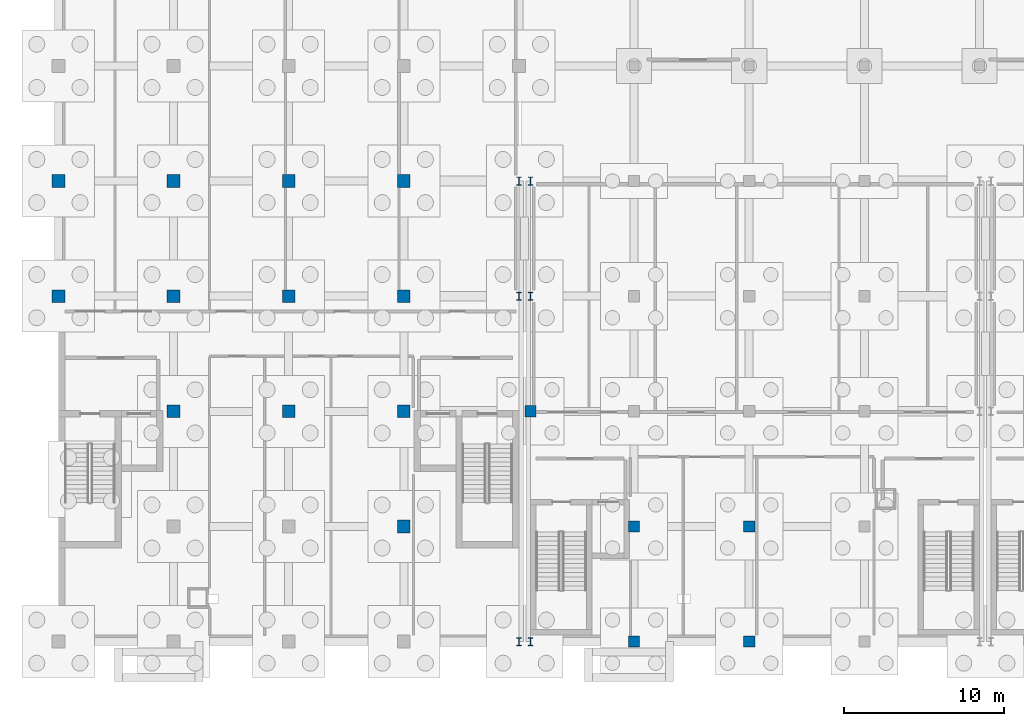
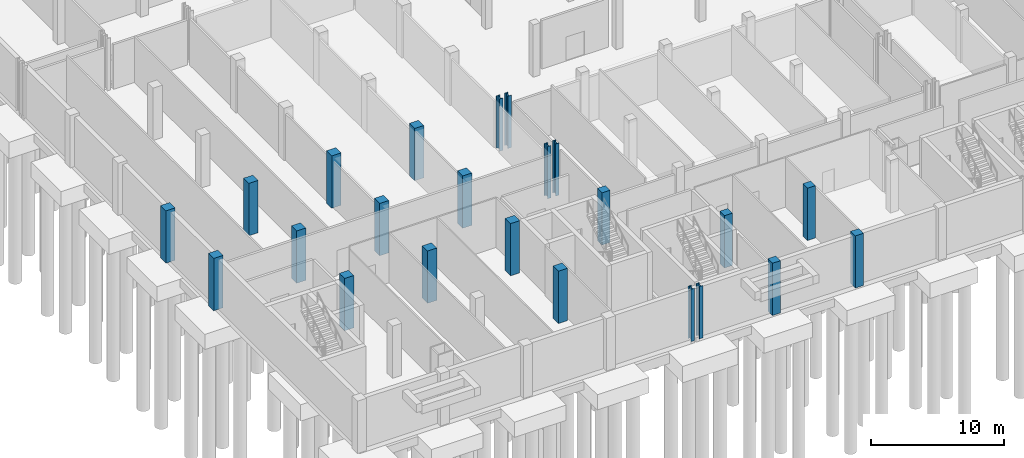
# One storey, part 9 of 35: 23 columns.
"""IFC4 building model written with IfcOpenShell, lengths in metres."""

from ifc_helpers import new_model, si_unit, direction, frame, origin, origin_2d, place, context, subcontext, project, spatial, rectangle, i_section, extrude, material, material_profile, profile_set, type_object, element, save


model = new_model("IFC4")

# Units and contexts
model_context = context("Model", 3, precision=1e-05, world=origin(), true_north=direction((0.0, 1.0)))
body_context = subcontext(model_context, "Body", "Model", "MODEL_VIEW")
ifc_project = project(units=[si_unit("LENGTHUNIT", "METRE"), si_unit("AREAUNIT", "SQUARE_METRE"), si_unit("VOLUMEUNIT", "CUBIC_METRE"), si_unit("PLANEANGLEUNIT", "RADIAN"), si_unit("MASSUNIT", "GRAM", prefix="KILO")], contexts=[model_context])

# Site, building, storey
site_placement = place(None, origin())
site = spatial("IfcSite", under=ifc_project, at=site_placement, CompositionType="ELEMENT")
building_placement = place(site_placement, origin())
building = spatial("IfcBuilding", under=site, at=building_placement, Name="Zarrinpeak Specialist Clinic", CompositionType="ELEMENT")
storey_placement = place(building_placement, frame((0.0, 0.0, -4.800048828125)))
storey = spatial("IfcBuildingStorey", under=building, at=storey_placement, Name="B01", CompositionType="ELEMENT", Elevation=-4.800048828125)

# Columns
ifc_material_1 = material(Name="Steel S355", Category="steel")
ifc_material_profile_1 = material_profile(ifc_material_1, i_section(OverallWidth=0.300048828125, OverallDepth=0.5, WebThickness=0.014404296875, FlangeThickness=0.028076171875, FilletRadius=0.027099609375, at=origin_2d()), Name="HEB 500")
ifc_profile_set_1 = profile_set([ifc_material_profile_1], Name="Steel S355")
column_type_1 = type_object("IfcColumnType", Name="COL-HEB500", PredefinedType="COLUMN", material=ifc_profile_set_1)
for number, where, z_axis, x_axis, name in (
    (1, (28.800048828125, 0.0, 0.0), (0.0, 0.0, 1.0), (1.0, 0.0, 0.0), "B01 Structural Column COL-B01-054"),
    (2, (28.800048828125, 21.60009765625, 0.0), (0.0, 0.0, 1.0), (1.0, 0.0, 0.0), "B01 Structural Column COL-B01-055"),
    (3, (28.800048828125, 28.800048828125, 0.0), (0.0, 0.0, 1.0), (1.0, 0.0, 0.0), "B01 Structural Column COL-B01-056"),
    (4, (29.52001953125, 0.0, 0.0), (0.0, 0.0, 1.0), (1.0, 0.0, 0.0), "B01 Structural Column COL-B01-065"),
    (5, (29.52001953125, 21.60009765625, 0.0), (0.0, 0.0, 1.0), (1.0, 0.0, 0.0), "B01 Structural Column COL-B01-067"),
    (6, (29.52001953125, 28.800048828125, 0.0), (0.0, 0.0, 1.0), (1.0, 0.0, 0.0), "B01 Structural Column COL-B01-068"),
):
    element("IfcColumn", number, at=place(storey_placement, frame(where, z_axis=z_axis, x_axis=x_axis)), inside=storey, type_object=column_type_1, Name=name, PredefinedType="COLUMN", context=body_context, shape_type="SweptSolid", body=[
        extrude(i_section(OverallWidth=0.300048828125, OverallDepth=0.5, WebThickness=0.014404296875, FlangeThickness=0.028076171875, FilletRadius=0.027099609375, at=origin_2d()), origin(), (0.0, 0.0, 1.0), 4.800048828125),
    ])
ifc_material_2 = material(Name="Concrete C40/50", Category="concrete")
ifc_material_profile_2 = material_profile(ifc_material_2, rectangle(XDim=0.699951171875, YDim=0.699951171875, at=origin_2d()), Name="RC 700x700")
ifc_profile_set_2 = profile_set([ifc_material_profile_2], Name="Concrete C40/50")
column_type_2 = type_object("IfcColumnType", Name="COL-RC700", PredefinedType="COLUMN", material=ifc_profile_set_2)
for number, where, z_axis, x_axis, name in (
    (7, (29.52001953125, 14.39990234375, 0.0), (0.0, 0.0, 1.0), (1.0, 0.0, 0.0), "B01 Structural Column COL-B01-066"),
    (8, (36.0, 0.0, 0.0), (0.0, 0.0, 1.0), (1.0, 0.0, 0.0), "B01 Structural Column COL-B01-069"),
    (9, (36.0, 7.199951171875, 0.0), (0.0, 0.0, 1.0), (1.0, 0.0, 0.0), "B01 Structural Column COL-B01-070"),
    (10, (43.199951171875, 0.0, 0.0), (0.0, 0.0, 1.0), (1.0, 0.0, 0.0), "B01 Structural Column COL-B01-086"),
    (11, (43.199951171875, 7.199951171875, 0.0), (0.0, 0.0, 1.0), (1.0, 0.0, 0.0), "B01 Structural Column COL-B01-087"),
):
    element("IfcColumn", number, at=place(storey_placement, frame(where, z_axis=z_axis, x_axis=x_axis)), inside=storey, type_object=column_type_2, Name=name, PredefinedType="COLUMN", context=body_context, shape_type="SweptSolid", body=[
        extrude(rectangle(XDim=0.699951171875, YDim=0.699951171875, at=origin_2d()), origin(), (0.0, 0.0, 1.0), 4.800048828125),
    ])
ifc_material_profile_3 = material_profile(ifc_material_2, rectangle(XDim=0.800048828125, YDim=0.800048828125, at=origin_2d()), Name="RC 800x800")
ifc_profile_set_3 = profile_set([ifc_material_profile_3], Name="Concrete C40/50")
column_type_3 = type_object("IfcColumnType", Name="COL-RC800", PredefinedType="COLUMN", material=ifc_profile_set_3)
for number, where, z_axis, x_axis, name in (
    (12, (0.0, 21.60009765625, 0.0), (0.0, 0.0, 1.0), (1.0, 0.0, 0.0), "B01 Structural Column COL-B01-002"),
    (13, (0.0, 28.800048828125, 0.0), (0.0, 0.0, 1.0), (1.0, 0.0, 0.0), "B01 Structural Column COL-B01-003"),
    (14, (7.199951171875, 14.39990234375, 0.0), (0.0, 0.0, 1.0), (1.0, 0.0, 0.0), "B01 Structural Column COL-B01-014"),
    (15, (7.199951171875, 21.60009765625, 0.0), (0.0, 0.0, 1.0), (1.0, 0.0, 0.0), "B01 Structural Column COL-B01-015"),
    (16, (7.199951171875, 28.800048828125, 0.0), (0.0, 0.0, 1.0), (1.0, 0.0, 0.0), "B01 Structural Column COL-B01-016"),
    (17, (14.39990234375, 14.39990234375, 0.0), (0.0, 0.0, 1.0), (1.0, 0.0, 0.0), "B01 Structural Column COL-B01-028"),
    (18, (14.39990234375, 21.60009765625, 0.0), (0.0, 0.0, 1.0), (1.0, 0.0, 0.0), "B01 Structural Column COL-B01-029"),
    (19, (14.39990234375, 28.800048828125, 0.0), (0.0, 0.0, 1.0), (1.0, 0.0, 0.0), "B01 Structural Column COL-B01-030"),
    (20, (21.60009765625, 7.199951171875, 0.0), (0.0, 0.0, 1.0), (1.0, 0.0, 0.0), "B01 Structural Column COL-B01-041"),
    (21, (21.60009765625, 14.39990234375, 0.0), (0.0, 0.0, 1.0), (1.0, 0.0, 0.0), "B01 Structural Column COL-B01-042"),
    (22, (21.60009765625, 21.60009765625, 0.0), (0.0, 0.0, 1.0), (1.0, 0.0, 0.0), "B01 Structural Column COL-B01-043"),
    (23, (21.60009765625, 28.800048828125, 0.0), (0.0, 0.0, 1.0), (1.0, 0.0, 0.0), "B01 Structural Column COL-B01-044"),
):
    element("IfcColumn", number, at=place(storey_placement, frame(where, z_axis=z_axis, x_axis=x_axis)), inside=storey, type_object=column_type_3, Name=name, PredefinedType="COLUMN", context=body_context, shape_type="SweptSolid", body=[
        extrude(rectangle(XDim=0.800048828125, YDim=0.800048828125, at=origin_2d()), origin(), (0.0, 0.0, 1.0), 4.800048828125),
    ])

save(model, "model.ifc")
